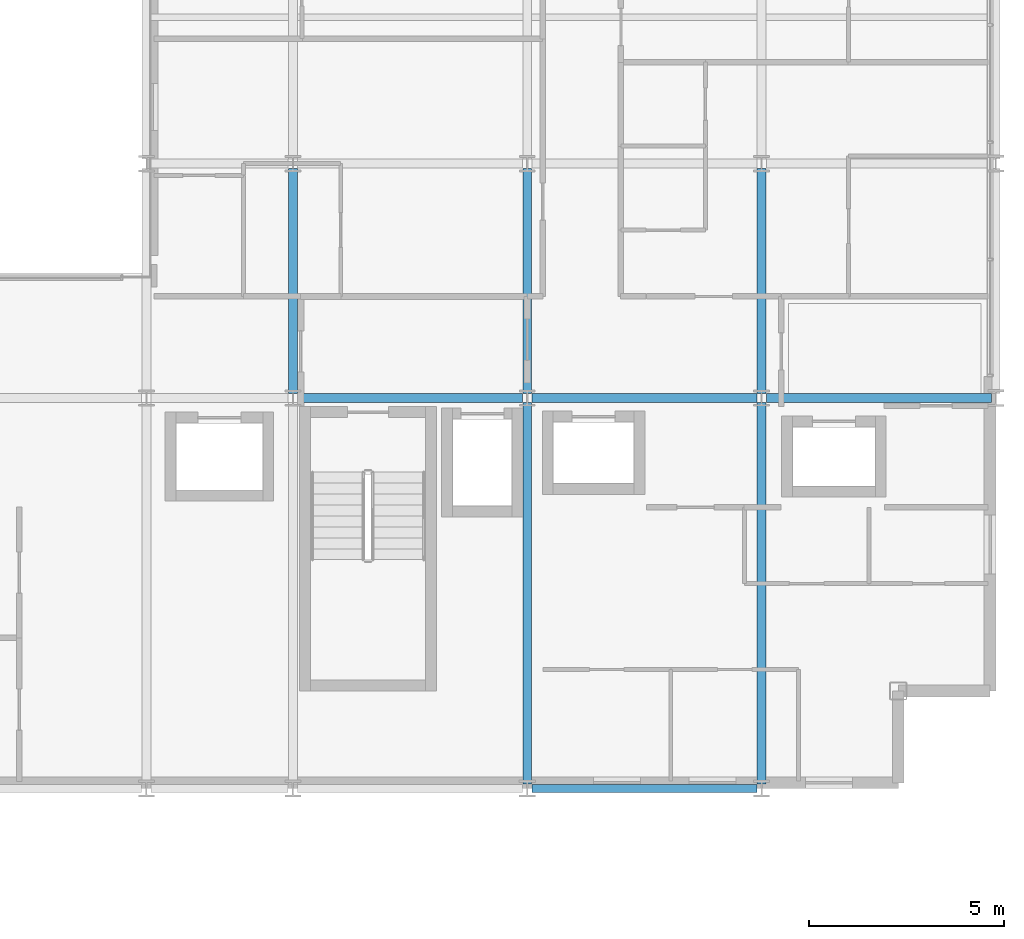
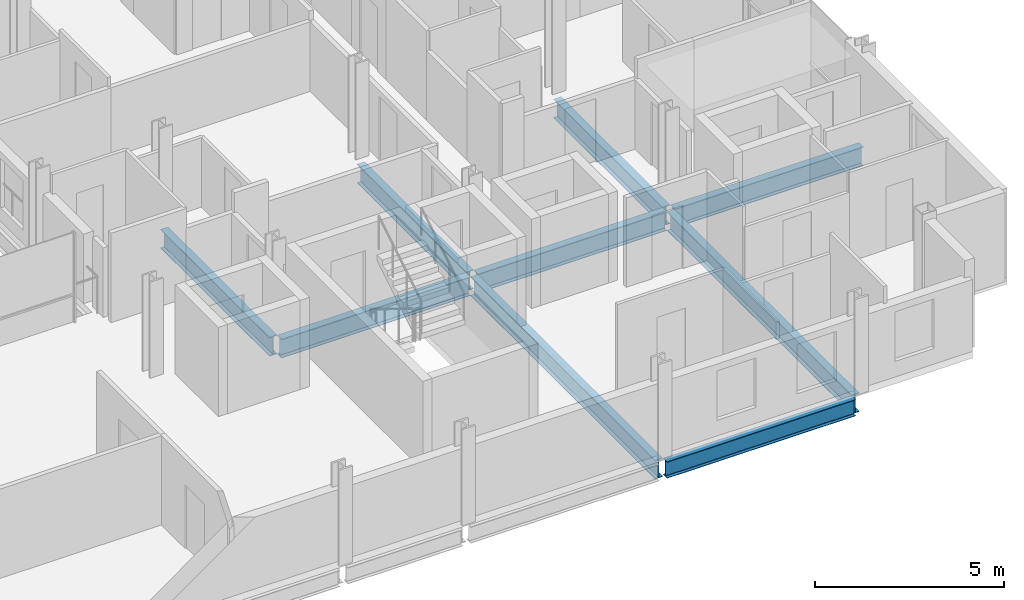
# One storey, part 14 of 41: 9 beams.
"""IFC4 building model written with IfcOpenShell, lengths in metres."""

from ifc_helpers import new_model, si_unit, direction, frame, origin, origin_2d, place, context, subcontext, project, spatial, i_section, extrude, material, material_profile, profile_set, type_object, element, save


model = new_model("IFC4")

# Units and contexts
model_context = context("Model", 3, precision=1e-05, world=origin(), true_north=direction((0.0, 1.0)))
body_context = subcontext(model_context, "Body", "Model", "MODEL_VIEW")
ifc_project = project(units=[si_unit("LENGTHUNIT", "METRE"), si_unit("AREAUNIT", "SQUARE_METRE"), si_unit("VOLUMEUNIT", "CUBIC_METRE"), si_unit("PLANEANGLEUNIT", "RADIAN"), si_unit("MASSUNIT", "GRAM", prefix="KILO")], contexts=[model_context])

# Site, building, storey
site_placement = place(None, origin())
site = spatial("IfcSite", under=ifc_project, at=site_placement, CompositionType="ELEMENT")
building_placement = place(site_placement, origin())
building = spatial("IfcBuilding", under=site, at=building_placement, Name="Brevholm Reach", CompositionType="ELEMENT")
storey_placement = place(building_placement, frame((0.0, 0.0, 100.39990234375)))
storey = spatial("IfcBuildingStorey", under=building, at=storey_placement, Name="L29", CompositionType="ELEMENT", Elevation=100.39990234375)

# Beams
ifc_material_1 = material(Name="Structural Steel S355J2", Category="steel")
ifc_material_profile_1 = material_profile(ifc_material_1, i_section(OverallWidth=0.209228515625, OverallDepth=0.533203125, WebThickness=0.010009765625, FlangeThickness=0.015625, FilletRadius=0.0126953125, at=origin_2d()), Name="UKB 533x210x92")
ifc_profile_set_1 = profile_set([ifc_material_profile_1], Name="Structural Steel S355J2")
beam_type_1 = type_object("IfcBeamType", Name="BM-SP533", PredefinedType="SPANDREL", material=ifc_profile_set_1)
beam_1_placement = place(storey_placement, frame((48.1201171875, 0.0, -0.486572265625), z_axis=(1.0, 0.0, 0.0), x_axis=(0.0, 1.0, 0.0)))
element("IfcBeam", 1, at=beam_1_placement, inside=storey, type_object=beam_type_1, Name="L29 SP-02 Framing Beam", PredefinedType="SPANDREL", context=body_context, shape_type="SweptSolid", body=[
    extrude(i_section(OverallWidth=0.209228515625, OverallDepth=0.533203125, WebThickness=0.010009765625, FlangeThickness=0.015625, FilletRadius=0.0126953125, at=origin_2d()), origin(), (0.0, 0.0, 1.0), 5.759765625),
])
ifc_material_2 = material(Name="Structural Steel S355J2", Category="steel")
ifc_material_profile_2 = material_profile(ifc_material_2, i_section(OverallWidth=0.22900390625, OverallDepth=0.6123046875, WebThickness=0.011962890625, FlangeThickness=0.01953125, FilletRadius=0.0126953125, at=origin_2d()), Name="UKB 610x229x125")
ifc_profile_set_2 = profile_set([ifc_material_profile_2], Name="Structural Steel S355J2")
beam_type_2 = type_object("IfcBeamType", Name="BM-SP610", PredefinedType="SPANDREL", material=ifc_profile_set_2)
for number, where, z_axis, x_axis, name in (
    (2, (42.1201171875, 10.0, -0.526123046875), (1.0, 0.0, 0.0), (0.0, 1.0, 0.0), "L29 SP-01 Framing Beam"),
    (3, (48.1201171875, 10.0, -0.526123046875), (1.0, 0.0, 0.0), (0.0, 1.0, 0.0), "L29 SP-01 Framing Beam"),
    (4, (54.1201171875, 10.0, -0.526123046875), (1.0, 0.0, 0.0), (0.0, 1.0, 0.0), "L29 SP-01 Framing Beam"),
    (5, (42.0, 10.1201171875, -0.526123046875), (0.0, 1.0, 0.0), (-1.0, 0.0, 0.0), "L29 SP-01 Framing Beam"),
):
    element("IfcBeam", number, at=place(storey_placement, frame(where, z_axis=z_axis, x_axis=x_axis)), inside=storey, type_object=beam_type_2, Name=name, PredefinedType="SPANDREL", context=body_context, shape_type="SweptSolid", body=[
        extrude(i_section(OverallWidth=0.22900390625, OverallDepth=0.6123046875, WebThickness=0.011962890625, FlangeThickness=0.01953125, FilletRadius=0.0126953125, at=origin_2d()), origin(), (0.0, 0.0, 1.0), 5.759765625),
    ])
beam_2_placement = place(storey_placement, frame((48.0, 0.1201171875, -0.526123046875), z_axis=(0.0, 1.0, 0.0), x_axis=(-1.0, 0.0, 0.0)))
element("IfcBeam", 6, at=beam_2_placement, inside=storey, type_object=beam_type_2, Name="L29 SP-01 Framing Beam", PredefinedType="SPANDREL", context=body_context, shape_type="SweptSolid", body=[
    extrude(i_section(OverallWidth=0.22900390625, OverallDepth=0.6123046875, WebThickness=0.011962890625, FlangeThickness=0.01953125, FilletRadius=0.0126953125, at=origin_2d()), origin(), (0.0, 0.0, 1.0), 9.759765625),
])
beam_3_placement = place(storey_placement, frame((48.0, 10.1201171875, -0.526123046875), z_axis=(0.0, 1.0, 0.0), x_axis=(-1.0, 0.0, 0.0)))
element("IfcBeam", 7, at=beam_3_placement, inside=storey, type_object=beam_type_2, Name="L29 SP-01 Framing Beam", PredefinedType="SPANDREL", context=body_context, shape_type="SweptSolid", body=[
    extrude(i_section(OverallWidth=0.22900390625, OverallDepth=0.6123046875, WebThickness=0.011962890625, FlangeThickness=0.01953125, FilletRadius=0.0126953125, at=origin_2d()), origin(), (0.0, 0.0, 1.0), 5.759765625),
])
beam_4_placement = place(storey_placement, frame((54.0, 0.1201171875, -0.526123046875), z_axis=(0.0, 1.0, 0.0), x_axis=(-1.0, 0.0, 0.0)))
element("IfcBeam", 8, at=beam_4_placement, inside=storey, type_object=beam_type_2, Name="L29 SP-01 Framing Beam", PredefinedType="SPANDREL", context=body_context, shape_type="SweptSolid", body=[
    extrude(i_section(OverallWidth=0.22900390625, OverallDepth=0.6123046875, WebThickness=0.011962890625, FlangeThickness=0.01953125, FilletRadius=0.0126953125, at=origin_2d()), origin(), (0.0, 0.0, 1.0), 9.759765625),
])
beam_5_placement = place(storey_placement, frame((54.0, 10.1201171875, -0.526123046875), z_axis=(0.0, 1.0, 0.0), x_axis=(-1.0, 0.0, 0.0)))
element("IfcBeam", 9, at=beam_5_placement, inside=storey, type_object=beam_type_2, Name="L29 SP-01 Framing Beam", PredefinedType="SPANDREL", context=body_context, shape_type="SweptSolid", body=[
    extrude(i_section(OverallWidth=0.22900390625, OverallDepth=0.6123046875, WebThickness=0.011962890625, FlangeThickness=0.01953125, FilletRadius=0.0126953125, at=origin_2d()), origin(), (0.0, 0.0, 1.0), 5.759765625),
])

save(model, "model.ifc")
